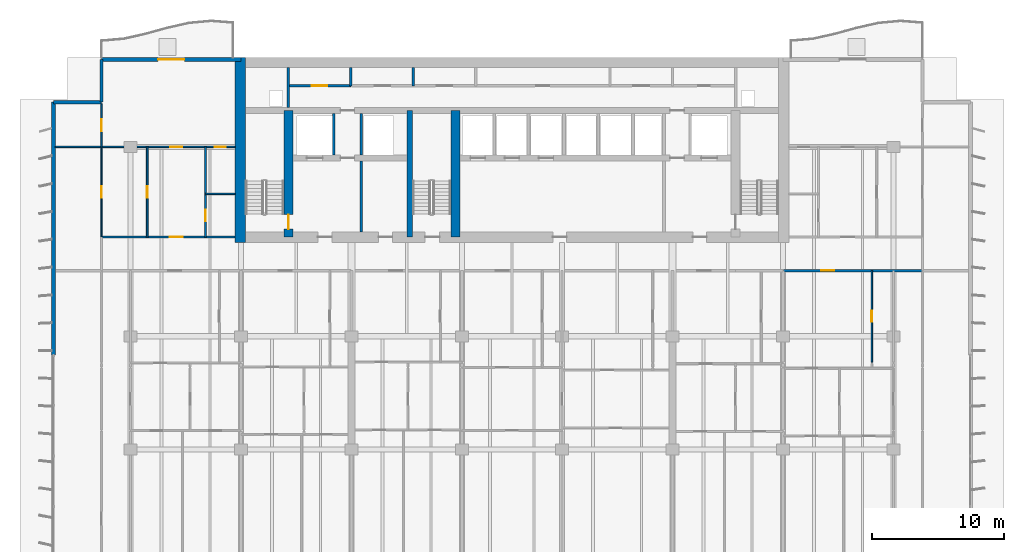
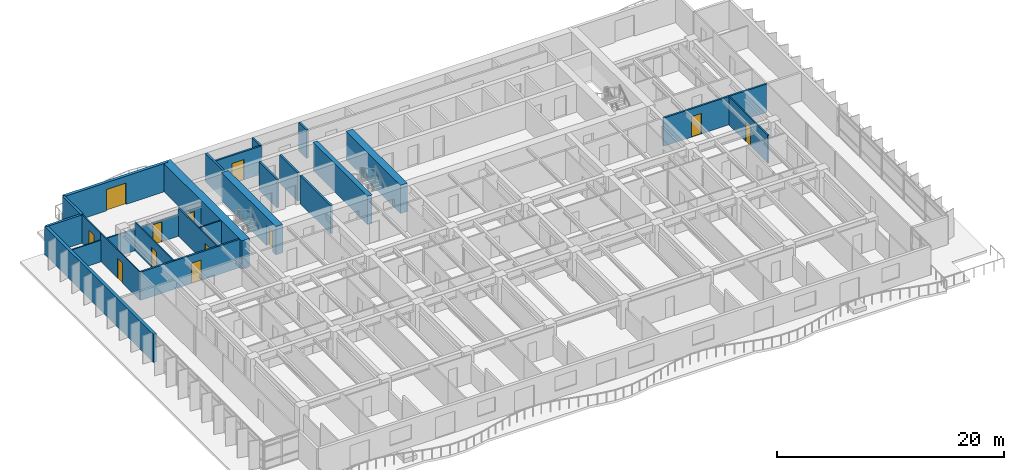
# One storey, part 10 of 17: 24 walls, 12 doors, 12 openings.
"""IFC4 building model written with IfcOpenShell, lengths in metres."""

from ifc_helpers import new_model, si_unit, direction, frame, frame_2d, origin, place, context, subcontext, project, spatial, rectangle, extrude, material, layer, layer_set, type_object, element, fill, save


model = new_model("IFC4")

# Units and contexts
model_context = context("Model", 3, precision=1e-05, world=origin(), true_north=direction((0.0, 1.0)))
body_context = subcontext(model_context, "Body", "Model", "MODEL_VIEW")
ifc_project = project(units=[si_unit("LENGTHUNIT", "METRE"), si_unit("AREAUNIT", "SQUARE_METRE"), si_unit("VOLUMEUNIT", "CUBIC_METRE"), si_unit("PLANEANGLEUNIT", "RADIAN"), si_unit("MASSUNIT", "GRAM", prefix="KILO")], contexts=[model_context])

# Site, building, storey
site_placement = place(None, origin())
site = spatial("IfcSite", under=ifc_project, at=site_placement, CompositionType="ELEMENT")
building_placement = place(site_placement, origin())
building = spatial("IfcBuilding", under=site, at=building_placement, Name="Caelmar Bay Residences", CompositionType="ELEMENT")
storey_placement = place(building_placement, frame((0.0, 0.0, 84.60009765625)))
storey = spatial("IfcBuildingStorey", under=building, at=storey_placement, Name="L22", CompositionType="ELEMENT", Elevation=84.60009765625)

# Wall, opening, door
ifc_material_1 = material(Name="Concrete f'c 55 MPa (8,000 psi)", Category="concrete")
ifc_layer_1 = layer(ifc_material_1, 0.699951171875)
ifc_layer_set_1 = layer_set([ifc_layer_1], Name="Concrete f'c 55 MPa (8,000 psi)")
wall_type_1 = type_object("IfcWallType", Name="SW-COR-700", PredefinedType="SHEAR", material=ifc_layer_set_1)
wall_1_placement = place(storey_placement, frame((21.89990234375, 36.949951171875, 0.0), z_axis=(0.0, 0.0, 1.0), x_axis=(0.0, 1.0, 0.0)))
wall_1 = element("IfcWall", 1, at=wall_1_placement, inside=storey, type_object=wall_type_1, Name="L22 Core Structural Web Wall ST1E", PredefinedType="SHEAR", context=body_context, shape_type="SweptSolid", body=[
    extrude(rectangle(XDim=9.625, YDim=0.699951171875, at=frame_2d((4.8125, 0.0))), origin(), (0.0, 0.0, 1.0), 3.0498046875),
])
opening_1_placement = place(wall_1_placement, frame((0.60009765625, 0.0, 0.0)))
opening_1 = element("IfcOpeningElement", 2, at=opening_1_placement, cuts=wall_1, Name="Opening D-L22-108", PredefinedType="OPENING", context=body_context, shape_type="SweptSolid", body=[
    extrude(rectangle(XDim=1.10009765625, YDim=2.14990234375, at=frame_2d((0.550048828125, 1.074951171875))), frame((0.0, 0.35986328125, 0.0), z_axis=(0.0, -1.0, 0.0), x_axis=(1.0, 0.0, 0.0)), (0.0, 0.0, 1.0), 0.719970703125),
])
ifc_material_2 = material(Name="Fire-rated steel and walnut architectural door assembly", Category="steel")
ifc_layer_2 = layer(ifc_material_2, 0.050048828125)
ifc_layer_set_2 = layer_set([ifc_layer_2], Name="Fire-rated steel and walnut architectural door assembly")
door_type_1 = type_object("IfcDoorType", Name="D-STAIR-1100", OperationType="NOTDEFINED", PredefinedType="DOOR", material=ifc_layer_set_2)
door_1_placement = place(opening_1_placement, origin())
door_1 = element("IfcDoor", 3, at=door_1_placement, inside=storey, type_object=door_type_1, Name="L22 Firefighting Lobby West Door", OperationType="SINGLE_SWING_LEFT", OverallHeight=2.14990234375, OverallWidth=1.10009765625, PredefinedType="DOOR", context=body_context, shape_type="SweptSolid", body=[
    extrude(rectangle(XDim=1.10009765625, YDim=2.14990234375, at=frame_2d((0.550048828125, 1.074951171875))), frame((0.0, 0.02490234375, 0.0), z_axis=(0.0, -1.0, 0.0), x_axis=(1.0, 0.0, 0.0)), (0.0, 0.0, 1.0), 0.050048828125),
])
fill(opening_1, door_1)

# Walls
wall_2_placement = place(storey_placement, frame((34.60009765625, 36.949951171875, 0.0), z_axis=(0.0, 0.0, 1.0), x_axis=(0.0, 1.0, 0.0)))
element("IfcWall", 4, at=wall_2_placement, inside=storey, type_object=wall_type_1, Name="L22 Core Structural Web Wall ST3E", PredefinedType="SHEAR", context=body_context, shape_type="SweptSolid", body=[
    extrude(rectangle(XDim=9.625, YDim=0.699951171875, at=frame_2d((4.8125, 0.0))), origin(), (0.0, 0.0, 1.0), 3.0498046875),
])
ifc_material_3 = material(Name="Concrete f'c 70 MPa (10,000 psi)", Category="concrete")
ifc_layer_3 = layer(ifc_material_3, 0.800048828125)
ifc_layer_set_3 = layer_set([ifc_layer_3], Name="Concrete f'c 70 MPa (10,000 psi)")
wall_type_2 = type_object("IfcWallType", Name="SW-COR-800", PredefinedType="SHEAR", material=ifc_layer_set_3)
wall_3_placement = place(storey_placement, frame((18.25, 36.550048828125, 0.0), z_axis=(0.0, 0.0, 1.0), x_axis=(0.0, 1.0, 0.0)))
element("IfcWall", 5, at=wall_3_placement, inside=storey, type_object=wall_type_2, Name="L22 Rear Core West Shear Wall", PredefinedType="SHEAR", context=body_context, shape_type="SweptSolid", body=[
    extrude(rectangle(XDim=14.050048828125, YDim=0.800048828125, at=frame_2d((7.02490234375, 0.0))), origin(), (0.0, 0.0, 1.0), 3.0498046875),
])
ifc_layer_4 = layer(ifc_material_3, 0.449951171875)
ifc_layer_set_4 = layer_set([ifc_layer_4], Name="Concrete f'c 70 MPa (10,000 psi)")
wall_type_3 = type_object("IfcWallType", Name="SW-WEB-450", PredefinedType="SHEAR", material=ifc_layer_set_4)
wall_4_placement = place(storey_placement, frame((31.125, 36.949951171875, 0.0), z_axis=(0.0, 0.0, 1.0), x_axis=(0.0, 1.0, 0.0)))
element("IfcWall", 6, at=wall_4_placement, inside=storey, type_object=wall_type_3, Name="L22 Core Structural Web Wall ST3W", PredefinedType="SHEAR", context=body_context, shape_type="SweptSolid", body=[
    extrude(rectangle(XDim=9.625, YDim=0.449951171875, at=frame_2d((4.8125, 0.0))), origin(), (0.0, 0.0, 1.0), 3.0498046875),
])
ifc_material_4 = material(Name="Double-stud acoustic fire-rated gypsum partition 180 mm")
ifc_layer_5 = layer(ifc_material_4, 0.179931640625)
ifc_layer_set_5 = layer_set([ifc_layer_5], Name="Double-stud acoustic fire-rated gypsum partition 180 mm")
wall_type_4 = type_object("IfcWallType", Name="W-COR-200", PredefinedType="PARTITIONING", material=ifc_layer_set_5)
for number, where, z_axis, x_axis, name in (
    (7, (26.64990234375, 48.449951171875, 0.0), (0.0, 0.0, 1.0), (0.0, 1.0, 0.0), "L22 Partition Wall V033"),
    (8, (31.39990234375, 48.449951171875, 0.0), (0.0, 0.0, 1.0), (0.0, 1.0, 0.0), "L22 Partition Wall V043"),
):
    element("IfcWall", number, at=place(storey_placement, frame(where, z_axis=z_axis, x_axis=x_axis)), inside=storey, type_object=wall_type_4, Name=name, PredefinedType="PARTITIONING", context=body_context, shape_type="SweptSolid", body=[
        extrude(rectangle(XDim=1.405029296875, YDim=0.179931640625, at=frame_2d((0.70263671875, 0.0))), origin(), (0.0, 0.0, 1.0), 3.0498046875),
    ])

# Wall, opening, door
wall_5_placement = place(storey_placement, frame((59.550048828125, 34.39990234375, 0.0), z_axis=(0.0, 0.0, 1.0), x_axis=(1.0, 0.0, 0.0)))
wall_5 = element("IfcWall", 9, at=wall_5_placement, inside=storey, type_object=wall_type_4, Name="L22 Partition Wall H134", PredefinedType="PARTITIONING", context=body_context, shape_type="SweptSolid", body=[
    extrude(rectangle(XDim=10.550048828125, YDim=0.179931640625, at=frame_2d((5.27490234375, 0.0))), origin(), (0.0, 0.0, 1.0), 3.0498046875),
])
opening_2_placement = place(wall_5_placement, frame((2.85009765625, 0.0, 0.0)))
opening_2 = element("IfcOpeningElement", 10, at=opening_2_placement, cuts=wall_5, Name="Opening D-L22-161", PredefinedType="OPENING", context=body_context, shape_type="SweptSolid", body=[
    extrude(rectangle(XDim=1.0, YDim=2.199951171875, at=frame_2d((0.5, 1.10009765625))), frame((0.0, 0.099853515625, 0.0), z_axis=(0.0, -1.0, 0.0), x_axis=(1.0, 0.0, 0.0)), (0.0, 0.0, 1.0), 0.199951171875),
])
ifc_layer_6 = layer(ifc_material_2, 0.050048828125)
ifc_layer_set_6 = layer_set([ifc_layer_6], Name="Fire-rated steel and walnut architectural door assembly")
door_type_2 = type_object("IfcDoorType", Name="D-UNIT-1000", OperationType="NOTDEFINED", PredefinedType="DOOR", material=ifc_layer_set_6)
door_2_placement = place(opening_2_placement, origin())
door_2 = element("IfcDoor", 11, at=door_2_placement, inside=storey, type_object=door_type_2, Name="L22 Residence 06 Apartment Hall Door", OperationType="SINGLE_SWING_RIGHT", OverallHeight=2.199951171875, OverallWidth=1.0, PredefinedType="DOOR", context=body_context, shape_type="SweptSolid", body=[
    extrude(rectangle(XDim=1.0, YDim=2.199951171875, at=frame_2d((0.5, 1.10009765625))), frame((0.0, 0.02490234375, 0.0), z_axis=(0.0, -1.0, 0.0), x_axis=(1.0, 0.0, 0.0)), (0.0, 0.0, 1.0), 0.050048828125),
])
fill(opening_2, door_2)

wall_6_placement = place(storey_placement, frame((7.699951171875, 36.949951171875, 0.0), z_axis=(0.0, 0.0, 1.0), x_axis=(1.0, 0.0, 0.0)))
wall_6 = element("IfcWall", 12, at=wall_6_placement, inside=storey, type_object=wall_type_4, Name="L22 Partition Wall H136", PredefinedType="PARTITIONING", context=body_context, shape_type="SweptSolid", body=[
    extrude(rectangle(XDim=10.14501953125, YDim=0.179931640625, at=frame_2d((5.072509765625, 0.0))), origin(), (0.0, 0.0, 1.0), 3.0498046875),
])
opening_3_placement = place(wall_6_placement, frame((5.18798828125, 0.0, 0.0)))
opening_3 = element("IfcOpeningElement", 13, at=opening_3_placement, cuts=wall_6, Name="Opening D-L22-172", PredefinedType="OPENING", context=body_context, shape_type="SweptSolid", body=[
    extrude(rectangle(XDim=1.0, YDim=2.199951171875, at=frame_2d((0.5, 1.10009765625))), frame((0.0, 0.099853515625, 0.0), z_axis=(0.0, -1.0, 0.0), x_axis=(1.0, 0.0, 0.0)), (0.0, 0.0, 1.0), 0.199951171875),
])
door_3_placement = place(opening_3_placement, origin())
door_3 = element("IfcDoor", 14, at=door_3_placement, inside=storey, type_object=door_type_2, Name="L22 Residence WA Kitchen Door", OperationType="SINGLE_SWING_LEFT", OverallHeight=2.199951171875, OverallWidth=1.0, PredefinedType="DOOR", context=body_context, shape_type="SweptSolid", body=[
    extrude(rectangle(XDim=1.0, YDim=2.199951171875, at=frame_2d((0.5, 1.10009765625))), frame((0.0, 0.02490234375, 0.0), z_axis=(0.0, -1.0, 0.0), x_axis=(1.0, 0.0, 0.0)), (0.0, 0.0, 1.0), 0.050048828125),
])
fill(opening_3, door_3)

wall_7_placement = place(storey_placement, frame((21.89990234375, 48.449951171875, 0.0), z_axis=(0.0, 0.0, 1.0), x_axis=(1.0, 0.0, 0.0)))
wall_7 = element("IfcWall", 15, at=wall_7_placement, inside=storey, type_object=wall_type_4, Name="L22 Partition Wall H142", PredefinedType="PARTITIONING", context=body_context, shape_type="SweptSolid", body=[
    extrude(rectangle(XDim=4.75, YDim=0.179931640625, at=frame_2d((2.375, 0.0))), origin(), (0.0, 0.0, 1.0), 3.0498046875),
])
opening_4_placement = place(wall_7_placement, frame((1.77490234375, 0.0, 0.0)))
opening_4 = element("IfcOpeningElement", 16, at=opening_4_placement, cuts=wall_7, Name="Opening D-L22-117", PredefinedType="OPENING", context=body_context, shape_type="SweptSolid", body=[
    extrude(rectangle(XDim=1.199951171875, YDim=2.199951171875, at=frame_2d((0.60009765625, 1.10009765625))), frame((0.0, 0.099853515625, 0.0), z_axis=(0.0, -1.0, 0.0), x_axis=(1.0, 0.0, 0.0)), (0.0, 0.0, 1.0), 0.199951171875),
])
ifc_layer_7 = layer(ifc_material_2, 0.050048828125)
ifc_layer_set_7 = layer_set([ifc_layer_7], Name="Fire-rated steel and walnut architectural door assembly")
door_type_3 = type_object("IfcDoorType", Name="D-PLANT-1200", OperationType="NOTDEFINED", PredefinedType="DOOR", material=ifc_layer_set_7)
door_4_placement = place(opening_4_placement, origin())
door_4 = element("IfcDoor", 17, at=door_4_placement, inside=storey, type_object=door_type_3, Name="L22 Branch Panel Closet Door", OperationType="SINGLE_SWING_RIGHT", OverallHeight=2.199951171875, OverallWidth=1.199951171875, PredefinedType="DOOR", context=body_context, shape_type="SweptSolid", body=[
    extrude(rectangle(XDim=1.199951171875, YDim=2.199951171875, at=frame_2d((0.60009765625, 1.10009765625))), frame((0.0, 0.02490234375, 0.0), z_axis=(0.0, -1.0, 0.0), x_axis=(1.0, 0.0, 0.0)), (0.0, 0.0, 1.0), 0.050048828125),
])
fill(opening_4, door_4)

# Walls
ifc_material_5 = material(Name="Precast concrete f'c 40 MPa (6,000 psi)", Category="concrete")
ifc_layer_8 = layer(ifc_material_5, 0.25)
ifc_layer_set_8 = layer_set([ifc_layer_8], Name="Precast concrete f'c 40 MPa (6,000 psi)")
wall_type_5 = type_object("IfcWallType", Name="W-EXT-250", PredefinedType="ELEMENTEDWALL", material=ifc_layer_set_8)
wall_8_placement = place(storey_placement, frame((4.050048828125, 47.199951171875, 0.0), z_axis=(0.0, 0.0, 1.0), x_axis=(1.0, 0.0, 0.0)))
element("IfcWall", 18, at=wall_8_placement, inside=storey, type_object=wall_type_5, Name="L22 NNW-H Notch Wall", PredefinedType="ELEMENTEDWALL", context=body_context, shape_type="SweptSolid", body=[
    extrude(rectangle(XDim=3.64990234375, YDim=0.25, at=frame_2d((1.824951171875, 0.0))), origin(), (0.0, 0.0, 1.0), 3.0498046875),
])
wall_9_placement = place(storey_placement, frame((7.699951171875, 47.199951171875, 0.0), z_axis=(0.0, 0.0, 1.0), x_axis=(0.0, 1.0, 0.0)))
element("IfcWall", 19, at=wall_9_placement, inside=storey, type_object=wall_type_5, Name="L22 NNW-V Notch Wall", PredefinedType="ELEMENTEDWALL", context=body_context, shape_type="SweptSolid", body=[
    extrude(rectangle(XDim=3.25, YDim=0.25, at=frame_2d((1.625, 0.0))), origin(), (0.0, 0.0, 1.0), 3.0498046875),
])
ifc_layer_9 = layer(ifc_material_5, 0.300048828125)
ifc_layer_set_9 = layer_set([ifc_layer_9], Name="Precast concrete f'c 40 MPa (6,000 psi)")
wall_type_6 = type_object("IfcWallType", Name="W-EXT-300", PredefinedType="STANDARD", material=ifc_layer_set_9)
wall_10_placement = place(storey_placement, frame((4.050048828125, 28.0, 0.0), z_axis=(0.0, 0.0, 1.0), x_axis=(0.0, 1.0, 0.0)))
element("IfcWall", 20, at=wall_10_placement, inside=storey, type_object=wall_type_6, Name="L22 West Rear Exterior Wall", PredefinedType="STANDARD", context=body_context, shape_type="SweptSolid", body=[
    extrude(rectangle(XDim=19.199951171875, YDim=0.300048828125, at=frame_2d((9.60009765625, 0.0))), origin(), (0.0, 0.0, 1.0), 3.0498046875),
])

# Wall, opening, door
wall_11_placement = place(storey_placement, frame((7.699951171875, 50.449951171875, 0.0), z_axis=(0.0, 0.0, 1.0), x_axis=(1.0, 0.0, 0.0)))
wall_11 = element("IfcWall", 21, at=wall_11_placement, inside=storey, type_object=wall_type_6, Name="L22 North-West Wing Exterior Wall", PredefinedType="STANDARD", context=body_context, shape_type="SweptSolid", body=[
    extrude(rectangle(XDim=10.60009765625, YDim=0.300048828125, at=frame_2d((5.300048828125, 0.0))), origin(), (0.0, 0.0, 1.0), 3.0498046875),
])
opening_5_placement = place(wall_11_placement, frame((4.300048828125, 0.0, 0.0)))
opening_5 = element("IfcOpeningElement", 22, at=opening_5_placement, cuts=wall_11, Name="Opening L22-BDNW", PredefinedType="OPENING", context=body_context, shape_type="SweptSolid", body=[
    extrude(rectangle(XDim=2.0, YDim=2.300048828125, at=frame_2d((1.0, 1.14990234375))), frame((0.0, 0.159912109375, 0.0), z_axis=(0.0, -1.0, 0.0), x_axis=(1.0, 0.0, 0.0)), (0.0, 0.0, 1.0), 0.320068359375),
])
ifc_material_6 = material(Name="Anodised bronze thermally broken sliding glass door", Category="glass")
ifc_layer_10 = layer(ifc_material_6, 0.050048828125)
ifc_layer_set_10 = layer_set([ifc_layer_10], Name="Anodised bronze thermally broken sliding glass door")
door_type_4 = type_object("IfcDoorType", Name="D-BAL-2000", OperationType="DOUBLE_DOOR_SLIDING", PredefinedType="DOOR", material=ifc_layer_set_10)
door_5_placement = place(opening_5_placement, origin())
door_5 = element("IfcDoor", 23, at=door_5_placement, inside=storey, type_object=door_type_4, Name="L22 North-West Balcony Door", OperationType="DOUBLE_DOOR_SLIDING", OverallHeight=2.300048828125, OverallWidth=2.0, PredefinedType="DOOR", context=body_context, shape_type="SweptSolid", body=[
    extrude(rectangle(XDim=2.0, YDim=2.300048828125, at=frame_2d((1.0, 1.14990234375))), frame((0.0, 0.02490234375, 0.0), z_axis=(0.0, -1.0, 0.0), x_axis=(1.0, 0.0, 0.0)), (0.0, 0.0, 1.0), 0.050048828125),
])
fill(opening_5, door_5)

# Walls
ifc_material_7 = material(Name="Fire-rated masonry and gypsum shaftliner assembly 200 mm", Category="masonry")
ifc_layer_11 = layer(ifc_material_7, 0.199951171875)
ifc_layer_set_11 = layer_set([ifc_layer_11], Name="Fire-rated masonry and gypsum shaftliner assembly 200 mm")
wall_type_7 = type_object("IfcWallType", Name="W-FSAE-200", PredefinedType="PARTITIONING", material=ifc_layer_set_11)
wall_12_placement = place(storey_placement, frame((21.89990234375, 46.794921875, 0.0), z_axis=(0.0, 0.0, 1.0), x_axis=(0.0, 1.0, 0.0)))
element("IfcWall", 24, at=wall_12_placement, inside=storey, type_object=wall_type_7, Name="L22 Partition Wall V025", PredefinedType="PARTITIONING", context=body_context, shape_type="SweptSolid", body=[
    extrude(rectangle(XDim=3.06005859375, YDim=0.199951171875, at=frame_2d((1.530029296875, 0.0))), origin(), (0.0, 0.0, 1.0), 3.0498046875),
])
wall_13_placement = place(storey_placement, frame((25.35009765625, 43.169921875, 0.0), z_axis=(0.0, 0.0, 1.0), x_axis=(0.0, 1.0, 0.0)))
element("IfcWall", 25, at=wall_13_placement, inside=storey, type_object=wall_type_7, Name="L22 Partition Wall V032", PredefinedType="PARTITIONING", context=body_context, shape_type="SweptSolid", body=[
    extrude(rectangle(XDim=3.18505859375, YDim=0.199951171875, at=frame_2d((1.592529296875, 0.0))), origin(), (0.0, 0.0, 1.0), 3.0498046875),
])
wall_14_placement = place(storey_placement, frame((27.449951171875, 37.344970703125, 0.0), z_axis=(0.0, 0.0, 1.0), x_axis=(0.0, 1.0, 0.0)))
element("IfcWall", 26, at=wall_14_placement, inside=storey, type_object=wall_type_7, Name="L22 Partition Wall V037", PredefinedType="PARTITIONING", context=body_context, shape_type="SweptSolid", body=[
    extrude(rectangle(XDim=5.385009765625, YDim=0.199951171875, at=frame_2d((2.6923828125, 0.0))), origin(), (0.0, 0.0, 1.0), 3.0498046875),
])
wall_15_placement = place(storey_placement, frame((27.449951171875, 43.169921875, 0.0), z_axis=(0.0, 0.0, 1.0), x_axis=(0.0, 1.0, 0.0)))
element("IfcWall", 27, at=wall_15_placement, inside=storey, type_object=wall_type_7, Name="L22 Partition Wall V038", PredefinedType="PARTITIONING", context=body_context, shape_type="SweptSolid", body=[
    extrude(rectangle(XDim=3.18505859375, YDim=0.199951171875, at=frame_2d((1.592529296875, 0.0))), origin(), (0.0, 0.0, 1.0), 3.0498046875),
])

# Wall, opening, door
ifc_material_8 = material(Name="Anodised bronze framed acoustic sliding study partition 100 mm")
ifc_layer_12 = layer(ifc_material_8, 0.10009765625)
ifc_layer_set_12 = layer_set([ifc_layer_12], Name="Anodised bronze framed acoustic sliding study partition 100 mm")
wall_type_8 = type_object("IfcWallType", Name="W-MOV-100", PredefinedType="MOVABLE", material=ifc_layer_set_12)
wall_16_placement = place(storey_placement, frame((7.699951171875, 36.955078125, 0.0), z_axis=(0.0, 0.0, 1.0), x_axis=(0.0, 1.0, 0.0)))
wall_16 = element("IfcWall", 28, at=wall_16_placement, inside=storey, type_object=wall_type_8, Name="L22 Partition Wall V006", PredefinedType="MOVABLE", context=body_context, shape_type="SweptSolid", body=[
    extrude(rectangle(XDim=6.844970703125, YDim=0.10009765625, at=frame_2d((3.42236328125, 0.0))), origin(), (0.0, 0.0, 1.0), 3.0498046875),
])
opening_6_placement = place(wall_16_placement, frame((2.972412109375, 0.0, 0.0)))
opening_6 = element("IfcOpeningElement", 29, at=opening_6_placement, cuts=wall_16, Name="Opening D-L22-176", PredefinedType="OPENING", context=body_context, shape_type="SweptSolid", body=[
    extrude(rectangle(XDim=0.89990234375, YDim=2.14990234375, at=frame_2d((0.449951171875, 1.074951171875))), frame((0.0, 0.06005859375, 0.0), z_axis=(0.0, -1.0, 0.0), x_axis=(1.0, 0.0, 0.0)), (0.0, 0.0, 1.0), 0.1201171875),
])
ifc_material_9 = material(Name="Solid walnut timber interior door leaf and frame", Category="wood")
ifc_layer_13 = layer(ifc_material_9, 0.050048828125)
ifc_layer_set_13 = layer_set([ifc_layer_13], Name="Solid walnut timber interior door leaf and frame")
door_type_5 = type_object("IfcDoorType", Name="D-ROOM-900", OperationType="NOTDEFINED", PredefinedType="DOOR", material=ifc_layer_set_13)
door_6_placement = place(opening_6_placement, origin())
door_6 = element("IfcDoor", 30, at=door_6_placement, inside=storey, type_object=door_type_5, Name="L22 Residence WA Sun Study Door", OperationType="SINGLE_SWING_LEFT", OverallHeight=2.14990234375, OverallWidth=0.89990234375, PredefinedType="DOOR", context=body_context, shape_type="SweptSolid", body=[
    extrude(rectangle(XDim=0.89990234375, YDim=2.14990234375, at=frame_2d((0.449951171875, 1.074951171875))), frame((0.0, 0.02490234375, 0.0), z_axis=(0.0, -1.0, 0.0), x_axis=(1.0, 0.0, 0.0)), (0.0, 0.0, 1.0), 0.050048828125),
])
fill(opening_6, door_6)

ifc_material_10 = material(Name="Acoustic metal-stud gypsum partition 120 mm")
ifc_layer_14 = layer(ifc_material_10, 0.1201171875)
ifc_layer_set_14 = layer_set([ifc_layer_14], Name="Acoustic metal-stud gypsum partition 120 mm")
wall_type_9 = type_object("IfcWallType", Name="W-PRT-120", PredefinedType="PARTITIONING", material=ifc_layer_set_14)
wall_17_placement = place(storey_placement, frame((7.699951171875, 43.804931640625, 0.0), z_axis=(0.0, 0.0, 1.0), x_axis=(0.0, 1.0, 0.0)))
wall_17 = element("IfcWall", 31, at=wall_17_placement, inside=storey, type_object=wall_type_9, Name="L22 Partition Wall V007", PredefinedType="PARTITIONING", context=body_context, shape_type="SweptSolid", body=[
    extrude(rectangle(XDim=3.275146484375, YDim=0.1201171875, at=frame_2d((1.6376953125, 0.0))), origin(), (0.0, 0.0, 1.0), 3.0498046875),
])
opening_7_placement = place(wall_17_placement, frame((1.1875, 0.0, 0.0)))
opening_7 = element("IfcOpeningElement", 32, at=opening_7_placement, cuts=wall_17, Name="Opening D-L22-177", PredefinedType="OPENING", context=body_context, shape_type="SweptSolid", body=[
    extrude(rectangle(XDim=0.89990234375, YDim=2.14990234375, at=frame_2d((0.449951171875, 1.074951171875))), frame((0.0, 0.070068359375, 0.0), z_axis=(0.0, -1.0, 0.0), x_axis=(1.0, 0.0, 0.0)), (0.0, 0.0, 1.0), 0.14013671875),
])
door_7_placement = place(opening_7_placement, origin())
door_7 = element("IfcDoor", 33, at=door_7_placement, inside=storey, type_object=door_type_5, Name="L22 Residence WA North Sitting Alcove Door", OperationType="SINGLE_SWING_RIGHT", OverallHeight=2.14990234375, OverallWidth=0.89990234375, PredefinedType="DOOR", context=body_context, shape_type="SweptSolid", body=[
    extrude(rectangle(XDim=0.89990234375, YDim=2.14990234375, at=frame_2d((0.449951171875, 1.074951171875))), frame((0.0, 0.02490234375, 0.0), z_axis=(0.0, -1.0, 0.0), x_axis=(1.0, 0.0, 0.0)), (0.0, 0.0, 1.0), 0.050048828125),
])
fill(opening_7, door_7)

wall_18_placement = place(storey_placement, frame((11.176025390625, 36.949951171875, 0.0), z_axis=(0.0, 0.0, 1.0), x_axis=(0.0, 1.0, 0.0)))
wall_18 = element("IfcWall", 34, at=wall_18_placement, inside=storey, type_object=wall_type_9, Name="L22 Partition Wall V013", PredefinedType="PARTITIONING", context=body_context, shape_type="SweptSolid", body=[
    extrude(rectangle(XDim=6.85009765625, YDim=0.1201171875, at=frame_2d((3.425048828125, 0.0))), origin(), (0.0, 0.0, 1.0), 3.0498046875),
])
opening_8_placement = place(wall_18_placement, frame((2.97509765625, 0.0, 0.0)))
opening_8 = element("IfcOpeningElement", 35, at=opening_8_placement, cuts=wall_18, Name="Opening D-L22-171", PredefinedType="OPENING", context=body_context, shape_type="SweptSolid", body=[
    extrude(rectangle(XDim=0.89990234375, YDim=2.14990234375, at=frame_2d((0.449951171875, 1.074951171875))), frame((0.0, 0.070068359375, 0.0), z_axis=(0.0, -1.0, 0.0), x_axis=(1.0, 0.0, 0.0)), (0.0, 0.0, 1.0), 0.14013671875),
])
door_8_placement = place(opening_8_placement, origin())
door_8 = element("IfcDoor", 36, at=door_8_placement, inside=storey, type_object=door_type_5, Name="L22 Residence WA Dining Room Door", OperationType="SINGLE_SWING_RIGHT", OverallHeight=2.14990234375, OverallWidth=0.89990234375, PredefinedType="DOOR", context=body_context, shape_type="SweptSolid", body=[
    extrude(rectangle(XDim=0.89990234375, YDim=2.14990234375, at=frame_2d((0.449951171875, 1.074951171875))), frame((0.0, 0.02490234375, 0.0), z_axis=(0.0, -1.0, 0.0), x_axis=(1.0, 0.0, 0.0)), (0.0, 0.0, 1.0), 0.050048828125),
])
fill(opening_8, door_8)

wall_19_placement = place(storey_placement, frame((15.60009765625, 36.949951171875, 0.0), z_axis=(0.0, 0.0, 1.0), x_axis=(0.0, 1.0, 0.0)))
wall_19 = element("IfcWall", 37, at=wall_19_placement, inside=storey, type_object=wall_type_9, Name="L22 Partition Wall V018", PredefinedType="PARTITIONING", context=body_context, shape_type="SweptSolid", body=[
    extrude(rectangle(XDim=6.85009765625, YDim=0.1201171875, at=frame_2d((3.425048828125, 0.0))), origin(), (0.0, 0.0, 1.0), 3.0498046875),
])
opening_9_placement = place(wall_19_placement, frame((1.218994140625, 0.0, 0.0)))
opening_9 = element("IfcOpeningElement", 38, at=opening_9_placement, cuts=wall_19, Name="Opening D-L22-174", PredefinedType="OPENING", context=body_context, shape_type="SweptSolid", body=[
    extrude(rectangle(XDim=0.85009765625, YDim=2.10009765625, at=frame_2d((0.425048828125, 1.050048828125))), frame((0.0, 0.070068359375, 0.0), z_axis=(0.0, -1.0, 0.0), x_axis=(1.0, 0.0, 0.0)), (0.0, 0.0, 1.0), 0.14013671875),
])
ifc_layer_15 = layer(ifc_material_9, 0.050048828125)
ifc_layer_set_15 = layer_set([ifc_layer_15], Name="Solid walnut timber interior door leaf and frame")
door_type_6 = type_object("IfcDoorType", Name="D-BATH-850", OperationType="NOTDEFINED", PredefinedType="DOOR", material=ifc_layer_set_15)
door_9_placement = place(opening_9_placement, origin())
door_9 = element("IfcDoor", 39, at=door_9_placement, inside=storey, type_object=door_type_6, Name="L22 Residence WA Walk-In Closet Door", OperationType="SINGLE_SWING_LEFT", OverallHeight=2.10009765625, OverallWidth=0.85009765625, PredefinedType="DOOR", context=body_context, shape_type="SweptSolid", body=[
    extrude(rectangle(XDim=0.85009765625, YDim=2.10009765625, at=frame_2d((0.425048828125, 1.050048828125))), frame((0.0, 0.02490234375, 0.0), z_axis=(0.0, -1.0, 0.0), x_axis=(1.0, 0.0, 0.0)), (0.0, 0.0, 1.0), 0.050048828125),
])
fill(opening_9, door_9)

wall_20_placement = place(storey_placement, frame((66.25, 27.43994140625, 0.0), z_axis=(0.0, 0.0, 1.0), x_axis=(0.0, 1.0, 0.0)))
wall_20 = element("IfcWall", 40, at=wall_20_placement, inside=storey, type_object=wall_type_9, Name="L22 Partition Wall V091", PredefinedType="PARTITIONING", context=body_context, shape_type="SweptSolid", body=[
    extrude(rectangle(XDim=6.9599609375, YDim=0.1201171875, at=frame_2d((3.47998046875, 0.0))), origin(), (0.0, 0.0, 1.0), 3.0498046875),
])
opening_10_placement = place(wall_20_placement, frame((3.054931640625, 0.0, 0.0)))
opening_10 = element("IfcOpeningElement", 41, at=opening_10_placement, cuts=wall_20, Name="Opening D-L22-162", PredefinedType="OPENING", context=body_context, shape_type="SweptSolid", body=[
    extrude(rectangle(XDim=0.85009765625, YDim=2.10009765625, at=frame_2d((0.425048828125, 1.050048828125))), frame((0.0, 0.070068359375, 0.0), z_axis=(0.0, -1.0, 0.0), x_axis=(1.0, 0.0, 0.0)), (0.0, 0.0, 1.0), 0.14013671875),
])
door_10_placement = place(opening_10_placement, origin())
door_10 = element("IfcDoor", 42, at=door_10_placement, inside=storey, type_object=door_type_6, Name="L22 Residence 06 Bathroom Door", OperationType="SINGLE_SWING_LEFT", OverallHeight=2.10009765625, OverallWidth=0.85009765625, PredefinedType="DOOR", context=body_context, shape_type="SweptSolid", body=[
    extrude(rectangle(XDim=0.85009765625, YDim=2.10009765625, at=frame_2d((0.425048828125, 1.050048828125))), frame((0.0, 0.02490234375, 0.0), z_axis=(0.0, -1.0, 0.0), x_axis=(1.0, 0.0, 0.0)), (0.0, 0.0, 1.0), 0.050048828125),
])
fill(opening_10, door_10)

# Wall
wall_21_placement = place(storey_placement, frame((15.60009765625, 40.238037109375, 0.0), z_axis=(0.0, 0.0, 1.0), x_axis=(1.0, 0.0, 0.0)))
element("IfcWall", 43, at=wall_21_placement, inside=storey, type_object=wall_type_9, Name="L22 Partition Wall H138", PredefinedType="PARTITIONING", context=body_context, shape_type="SweptSolid", body=[
    extrude(rectangle(XDim=2.2548828125, YDim=0.1201171875, at=frame_2d((1.12744140625, 0.0))), origin(), (0.0, 0.0, 1.0), 3.0498046875),
])

# Wall, openings, doors
wall_22_placement = place(storey_placement, frame((4.195068359375, 43.800048828125, 0.0), z_axis=(0.0, 0.0, 1.0), x_axis=(1.0, 0.0, 0.0)))
wall_22 = element("IfcWall", 44, at=wall_22_placement, inside=storey, type_object=wall_type_9, Name="L22 Partition Wall H140", PredefinedType="PARTITIONING", context=body_context, shape_type="SweptSolid", body=[
    extrude(rectangle(XDim=13.659912109375, YDim=0.1201171875, at=frame_2d((6.830078125, 0.0))), origin(), (0.0, 0.0, 1.0), 2.3388671875),
])
opening_11_placement = place(wall_22_placement, frame((8.742919921875, 0.0, 0.0)))
opening_11 = element("IfcOpeningElement", 45, at=opening_11_placement, cuts=wall_22, Name="Opening D-L22-173", PredefinedType="OPENING", context=body_context, shape_type="SweptSolid", body=[
    extrude(rectangle(XDim=0.89990234375, YDim=2.14990234375, at=frame_2d((0.449951171875, 1.074951171875))), frame((0.0, 0.070068359375, 0.0), z_axis=(0.0, -1.0, 0.0), x_axis=(1.0, 0.0, 0.0)), (0.0, 0.0, 1.0), 0.14013671875),
])
opening_12_placement = place(wall_22_placement, frame((12.107421875, 0.0, 0.0)))
opening_12 = element("IfcOpeningElement", 46, at=opening_12_placement, cuts=wall_22, Name="Opening D-L22-175", PredefinedType="OPENING", context=body_context, shape_type="SweptSolid", body=[
    extrude(rectangle(XDim=0.85009765625, YDim=2.10009765625, at=frame_2d((0.425048828125, 1.050048828125))), frame((0.0, 0.070068359375, 0.0), z_axis=(0.0, -1.0, 0.0), x_axis=(1.0, 0.0, 0.0)), (0.0, 0.0, 1.0), 0.14013671875),
])
door_11_placement = place(opening_12_placement, origin())
door_11 = element("IfcDoor", 47, at=door_11_placement, inside=storey, type_object=door_type_6, Name="L22 Residence WA Bathroom Door", OperationType="SINGLE_SWING_RIGHT", OverallHeight=2.10009765625, OverallWidth=0.85009765625, PredefinedType="DOOR", context=body_context, shape_type="SweptSolid", body=[
    extrude(rectangle(XDim=0.85009765625, YDim=2.10009765625, at=frame_2d((0.425048828125, 1.050048828125))), frame((0.0, 0.02490234375, 0.0), z_axis=(0.0, -1.0, 0.0), x_axis=(1.0, 0.0, 0.0)), (0.0, 0.0, 1.0), 0.050048828125),
])
fill(opening_12, door_11)
door_12_placement = place(opening_11_placement, origin())
door_12 = element("IfcDoor", 48, at=door_12_placement, inside=storey, type_object=door_type_5, Name="L22 Residence WA Studio Living and Sleeping Room Door", OperationType="SINGLE_SWING_RIGHT", OverallHeight=2.14990234375, OverallWidth=0.89990234375, PredefinedType="DOOR", context=body_context, shape_type="SweptSolid", body=[
    extrude(rectangle(XDim=0.89990234375, YDim=2.14990234375, at=frame_2d((0.449951171875, 1.074951171875))), frame((0.0, 0.02490234375, 0.0), z_axis=(0.0, -1.0, 0.0), x_axis=(1.0, 0.0, 0.0)), (0.0, 0.0, 1.0), 0.050048828125),
])
fill(opening_11, door_12)

save(model, "model.ifc")
